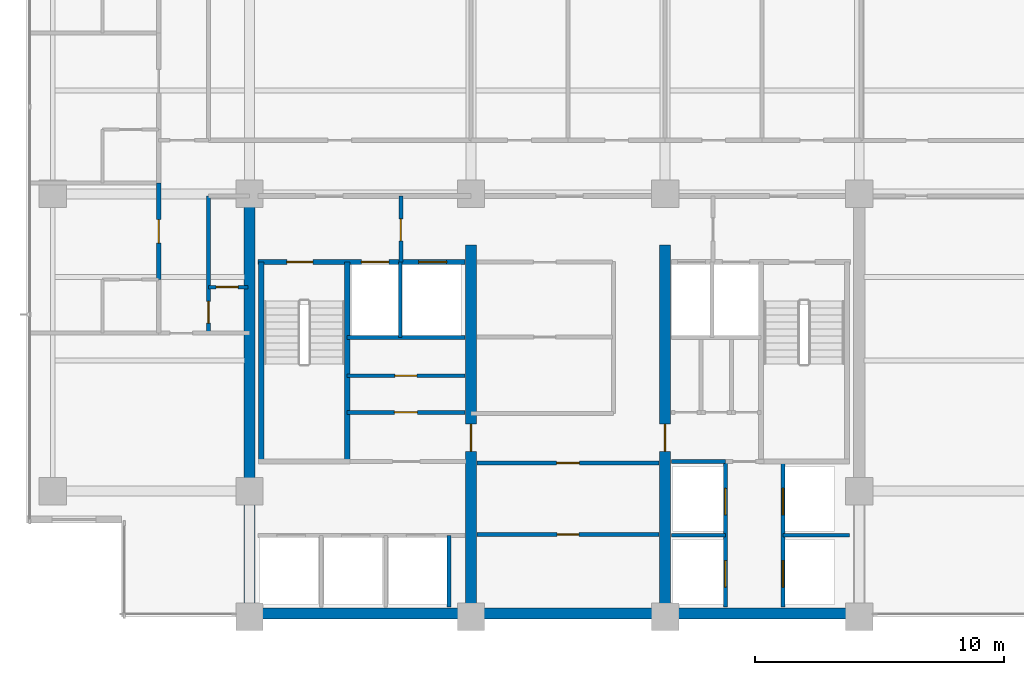
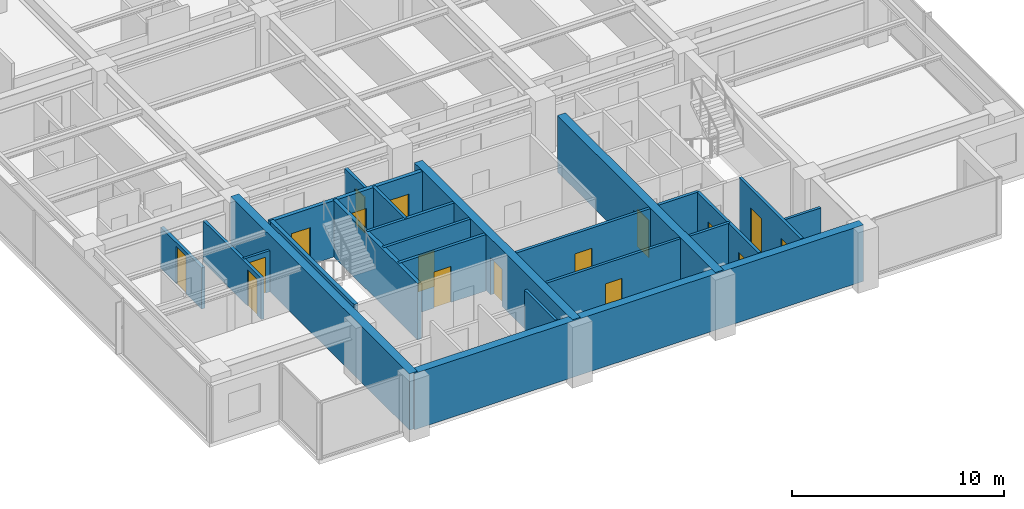
# One storey, part 7 of 14: 23 walls, 17 doors, 17 openings.
"""IFC4 building model written with IfcOpenShell, lengths in metres."""

from ifc_helpers import new_model, si_unit, direction, frame, frame_2d, origin, place, context, subcontext, project, spatial, rectangle, extrude, material, layer, layer_set, type_object, element, fill, save


model = new_model("IFC4")

# Units and contexts
model_context = context("Model", 3, precision=1e-05, world=origin(), true_north=direction((0.0, 1.0)))
body_context = subcontext(model_context, "Body", "Model", "MODEL_VIEW")
ifc_project = project(units=[si_unit("LENGTHUNIT", "METRE"), si_unit("AREAUNIT", "SQUARE_METRE"), si_unit("VOLUMEUNIT", "CUBIC_METRE"), si_unit("PLANEANGLEUNIT", "RADIAN"), si_unit("MASSUNIT", "GRAM", prefix="KILO")], contexts=[model_context])

# Site, building, storey
site_placement = place(None, origin())
site = spatial("IfcSite", under=ifc_project, at=site_placement, CompositionType="ELEMENT")
building_placement = place(site_placement, origin())
building = spatial("IfcBuilding", under=site, at=building_placement, Name="Qalmaran Belvedere Hotel", CompositionType="ELEMENT")
storey_placement = place(building_placement, frame((0.0, 0.0, 156.10009765625)))
storey = spatial("IfcBuildingStorey", under=building, at=storey_placement, Name="L39", CompositionType="ELEMENT", Elevation=156.10009765625)

# Wall
ifc_material_1 = material(Name="Concrete C50/60", Category="concrete")
ifc_layer_1 = layer(ifc_material_1, 0.449951171875, Name="Concrete C50/60")
ifc_layer_set_1 = layer_set([ifc_layer_1], Name="Concrete C50/60")
wall_type_1 = type_object("IfcWallType", Name="WL-CORE-450-C50", PredefinedType="SHEAR", material=ifc_layer_set_1)
wall_1_placement = place(storey_placement, frame((20.300048828125, 3.5, 0.0), z_axis=(0.0, 0.0, 1.0), x_axis=(0.0, 1.0, 0.0)))
element("IfcWall", 1, at=wall_1_placement, inside=storey, type_object=wall_type_1, Name="L39 West Core Shear Wall", PredefinedType="SHEAR", context=body_context, shape_type="SweptSolid", body=[
    extrude(rectangle(XDim=16.89990234375, YDim=0.449951171875, at=frame_2d((8.449951171875, 0.0))), origin(), (0.0, 0.0, 1.0), 3.25),
])

# Wall, opening, door
wall_2_placement = place(storey_placement, frame((29.199951171875, 3.5, 0.0), z_axis=(0.0, 0.0, 1.0), x_axis=(0.0, 1.0, 0.0)))
wall_2 = element("IfcWall", 2, at=wall_2_placement, inside=storey, type_object=wall_type_1, Name="L39 Core West Spine Shear Wall", PredefinedType="SHEAR", context=body_context, shape_type="SweptSolid", body=[
    extrude(rectangle(XDim=14.949951171875, YDim=0.449951171875, at=frame_2d((7.47509765625, 0.0))), origin(), (0.0, 0.0, 1.0), 3.25),
])
opening_1_placement = place(wall_2_placement, frame((7.75, 0.0, 0.0), z_axis=(0.0, 0.0, 1.0), x_axis=(-1.0, 0.0, 0.0)))
opening_1 = element("IfcOpeningElement", 3, at=opening_1_placement, cuts=wall_2, Name="Opening FD90", PredefinedType="OPENING", context=body_context, shape_type="SweptSolid", body=[
    extrude(rectangle(XDim=1.10009765625, YDim=2.14990234375, at=frame_2d((0.550048828125, 1.074951171875))), frame((0.0, 0.23486328125, 0.0), z_axis=(0.0, -1.0, 0.0), x_axis=(1.0, 0.0, 0.0)), (0.0, 0.0, 1.0), 0.469970703125),
])
ifc_material_2 = material(Name="Steel S355JR", Category="steel")
door_type_1 = type_object("IfcDoorType", Name="DR-FD90-1100X2150", OperationType="NOTDEFINED", PredefinedType="DOOR", material=ifc_material_2)
door_1_placement = place(opening_1_placement, origin())
door_1 = element("IfcDoor", 4, at=door_1_placement, inside=storey, type_object=door_type_1, Name="L39 Core West Cross-Lobby Door", OperationType="SINGLE_SWING_LEFT", OverallHeight=2.14990234375, OverallWidth=1.10009765625, PredefinedType="DOOR", context=body_context, shape_type="SweptSolid", body=[
    extrude(rectangle(XDim=1.10009765625, YDim=2.14990234375, at=frame_2d((0.550048828125, 1.074951171875))), frame((0.0, 0.02490234375, 0.0), z_axis=(0.0, -1.0, 0.0), x_axis=(1.0, 0.0, 0.0)), (0.0, 0.0, 1.0), 0.050048828125),
])
fill(opening_1, door_1)

wall_3_placement = place(storey_placement, frame((37.0, 3.5, 0.0), z_axis=(0.0, 0.0, 1.0), x_axis=(0.0, 1.0, 0.0)))
wall_3 = element("IfcWall", 5, at=wall_3_placement, inside=storey, type_object=wall_type_1, Name="L39 Core East Spine Shear Wall", PredefinedType="SHEAR", context=body_context, shape_type="SweptSolid", body=[
    extrude(rectangle(XDim=14.949951171875, YDim=0.449951171875, at=frame_2d((7.47509765625, 0.0))), origin(), (0.0, 0.0, 1.0), 3.25),
])
opening_2_placement = place(wall_3_placement, frame((6.64990234375, 0.0, 0.0)))
opening_2 = element("IfcOpeningElement", 6, at=opening_2_placement, cuts=wall_3, Name="Opening FD90", PredefinedType="OPENING", context=body_context, shape_type="SweptSolid", body=[
    extrude(rectangle(XDim=1.10009765625, YDim=2.14990234375, at=frame_2d((0.550048828125, 1.074951171875))), frame((0.0, 0.23486328125, 0.0), z_axis=(0.0, -1.0, 0.0), x_axis=(1.0, 0.0, 0.0)), (0.0, 0.0, 1.0), 0.469970703125),
])
door_2_placement = place(opening_2_placement, origin())
door_2 = element("IfcDoor", 7, at=door_2_placement, inside=storey, type_object=door_type_1, Name="L39 Core East Cross-Lobby Door", OperationType="SINGLE_SWING_RIGHT", OverallHeight=2.14990234375, OverallWidth=1.10009765625, PredefinedType="DOOR", context=body_context, shape_type="SweptSolid", body=[
    extrude(rectangle(XDim=1.10009765625, YDim=2.14990234375, at=frame_2d((0.550048828125, 1.074951171875))), frame((0.0, 0.02490234375, 0.0), z_axis=(0.0, -1.0, 0.0), x_axis=(1.0, 0.0, 0.0)), (0.0, 0.0, 1.0), 0.050048828125),
])
fill(opening_2, door_2)

# Wall
ifc_layer_2 = layer(ifc_material_1, 0.43994140625, Name="Concrete C50/60")
ifc_layer_set_2 = layer_set([ifc_layer_2], Name="Concrete C50/60")
wall_type_2 = type_object("IfcWallType", Name="WL-CORES-440-EXT", PredefinedType="SHEAR", material=ifc_layer_set_2)
wall_4_placement = place(storey_placement, frame((20.300048828125, 3.6298828125, 0.0), z_axis=(0.0, 0.0, 1.0), x_axis=(1.0, 0.0, 0.0)))
element("IfcWall", 8, at=wall_4_placement, inside=storey, type_object=wall_type_2, Name="L39 South Core Shear Wall", PredefinedType="SHEAR", context=body_context, shape_type="SweptSolid", body=[
    extrude(rectangle(XDim=24.5, YDim=0.43994140625, at=frame_2d((12.25, 0.0))), origin(), (0.0, 0.0, 1.0), 3.25),
])

# Wall, opening, door
ifc_material_3 = material(Name="Gypsum Stud Partition")
ifc_layer_3 = layer(ifc_material_3, 0.139892578125, Name="Gypsum Stud Partition")
ifc_layer_set_3 = layer_set([ifc_layer_3], Name="Gypsum Stud Partition")
wall_type_3 = type_object("IfcWallType", Name="WL-INT-140-NR", PredefinedType="PARTITIONING", material=ifc_layer_set_3)
wall_5_placement = place(storey_placement, frame((18.64990234375, 16.75, 0.0), z_axis=(0.0, 0.0, 1.0), x_axis=(1.0, 0.0, 0.0)))
wall_5 = element("IfcWall", 9, at=wall_5_placement, inside=storey, type_object=wall_type_3, Name="L39 Partition WL-L39-WCLSUB", PredefinedType="PARTITIONING", context=body_context, shape_type="SweptSolid", body=[
    extrude(rectangle(XDim=1.60009765625, YDim=0.139892578125, at=frame_2d((0.800048828125, 0.0))), origin(), (0.0, 0.0, 1.0), 2.3798828125),
])
opening_3_placement = place(wall_5_placement, frame((1.193115234375, 0.0, 0.0), z_axis=(0.0, 0.0, 1.0), x_axis=(-1.0, 0.0, 0.0)))
opening_3 = element("IfcOpeningElement", 10, at=opening_3_placement, cuts=wall_5, Name="Opening D-BATH", PredefinedType="OPENING", context=body_context, shape_type="SweptSolid", body=[
    extrude(rectangle(XDim=0.8798828125, YDim=2.080078125, at=frame_2d((0.43994140625, 1.0400390625))), frame((0.0, 0.080078125, 0.0), z_axis=(0.0, -1.0, 0.0), x_axis=(1.0, 0.0, 0.0)), (0.0, 0.0, 1.0), 0.159912109375),
])
ifc_material_4 = material(Name="Engineered Oak Veneer")
door_type_2 = type_object("IfcDoorType", Name="DR-INT-BATH-880X2080", OperationType="NOTDEFINED", PredefinedType="DOOR", material=ifc_material_4)
door_3_placement = place(opening_3_placement, origin())
door_3 = element("IfcDoor", 11, at=door_3_placement, inside=storey, type_object=door_type_2, Name="L39 Closet Alcove Door", OperationType="SINGLE_SWING_LEFT", OverallHeight=2.080078125, OverallWidth=0.8798828125, PredefinedType="DOOR", context=body_context, shape_type="SweptSolid", body=[
    extrude(rectangle(XDim=0.8798828125, YDim=2.080078125, at=frame_2d((0.43994140625, 1.0400390625))), frame((0.0, 0.02490234375, 0.0), z_axis=(0.0, -1.0, 0.0), x_axis=(1.0, 0.0, 0.0)), (0.0, 0.0, 1.0), 0.050048828125),
])
fill(opening_3, door_3)

# Walls
ifc_layer_4 = layer(ifc_material_3, 0.14990234375, Name="Gypsum Stud Partition")
ifc_layer_set_4 = layer_set([ifc_layer_4], Name="Gypsum Stud Partition")
wall_type_4 = type_object("IfcWallType", Name="WL-INT-150-EI120", PredefinedType="PARTITIONING", material=ifc_layer_set_4)
wall_6_placement = place(storey_placement, frame((26.360107421875, 14.719970703125, 0.0), z_axis=(0.0, 0.0, 1.0), x_axis=(0.0, 1.0, 0.0)))
element("IfcWall", 12, at=wall_6_placement, inside=storey, type_object=wall_type_4, Name="L39 Partition WL-FF1M-L39", PredefinedType="PARTITIONING", context=body_context, shape_type="SweptSolid", body=[
    extrude(rectangle(XDim=3.0400390625, YDim=0.14990234375, at=frame_2d((1.52001953125, 0.0))), origin(), (0.0, 0.0, 1.0), 3.25),
])
wall_7_placement = place(storey_placement, frame((28.320068359375, 3.89990234375, 0.0), z_axis=(0.0, 0.0, 1.0), x_axis=(0.0, 1.0, 0.0)))
element("IfcWall", 13, at=wall_7_placement, inside=storey, type_object=wall_type_4, Name="L39 Partition WL-POM3-L39", PredefinedType="PARTITIONING", context=body_context, shape_type="SweptSolid", body=[
    extrude(rectangle(XDim=2.880126953125, YDim=0.14990234375, at=frame_2d((1.43994140625, 0.0))), origin(), (0.0, 0.0, 1.0), 3.25),
])
wall_8_placement = place(storey_placement, frame((37.25, 6.780029296875, 0.0), z_axis=(0.0, 0.0, 1.0), x_axis=(1.0, 0.0, 0.0)))
element("IfcWall", 14, at=wall_8_placement, inside=storey, type_object=wall_type_4, Name="L39 Partition WL-PHMW-L39", PredefinedType="PARTITIONING", context=body_context, shape_type="SweptSolid", body=[
    extrude(rectangle(XDim=2.169921875, YDim=0.14990234375, at=frame_2d((1.0849609375, 0.0))), origin(), (0.0, 0.0, 1.0), 3.25),
])
wall_9_placement = place(storey_placement, frame((41.739990234375, 6.780029296875, 0.0), z_axis=(0.0, 0.0, 1.0), x_axis=(1.0, 0.0, 0.0)))
element("IfcWall", 15, at=wall_9_placement, inside=storey, type_object=wall_type_4, Name="L39 Partition WL-PHME-L39", PredefinedType="PARTITIONING", context=body_context, shape_type="SweptSolid", body=[
    extrude(rectangle(XDim=2.659912109375, YDim=0.14990234375, at=frame_2d((1.330078125, 0.0))), origin(), (0.0, 0.0, 1.0), 2.3798828125),
])

# Wall, opening, door
ifc_layer_5 = layer(ifc_material_3, 0.14990234375, Name="Gypsum Stud Partition")
ifc_layer_set_5 = layer_set([ifc_layer_5], Name="Gypsum Stud Partition")
wall_type_5 = type_object("IfcWallType", Name="WL-INT-150-EI60", PredefinedType="PARTITIONING", material=ifc_layer_set_5)
wall_10_placement = place(storey_placement, frame((24.219970703125, 13.18505859375, 0.0), z_axis=(0.0, 0.0, 1.0), x_axis=(1.0, 0.0, 0.0)))
wall_10 = element("IfcWall", 16, at=wall_10_placement, inside=storey, type_object=wall_type_5, Name="L39 Partition WL-L39-KWHM", PredefinedType="PARTITIONING", context=body_context, shape_type="SweptSolid", body=[
    extrude(rectangle(XDim=4.72998046875, YDim=0.14990234375, at=frame_2d((2.364990234375, 0.0))), origin(), (0.0, 0.0, 1.0), 3.25),
])
opening_4_placement = place(wall_10_placement, frame((1.925048828125, 0.0, 0.0)))
opening_4 = element("IfcOpeningElement", 17, at=opening_4_placement, cuts=wall_10, Name="Opening FD60B", PredefinedType="OPENING", context=body_context, shape_type="SweptSolid", body=[
    extrude(rectangle(XDim=0.8798828125, YDim=2.080078125, at=frame_2d((0.43994140625, 1.0400390625))), frame((0.0, 0.0849609375, 0.0), z_axis=(0.0, -1.0, 0.0), x_axis=(1.0, 0.0, 0.0)), (0.0, 0.0, 1.0), 0.169921875),
])
door_type_3 = type_object("IfcDoorType", Name="DR-FD60B-880X2080", OperationType="NOTDEFINED", PredefinedType="DOOR", material=ifc_material_2)
door_4_placement = place(opening_4_placement, origin())
door_4 = element("IfcDoor", 18, at=door_4_placement, inside=storey, type_object=door_type_3, Name="L39 Staff Core WC Door", OperationType="SINGLE_SWING_LEFT", OverallHeight=2.080078125, OverallWidth=0.8798828125, PredefinedType="DOOR", context=body_context, shape_type="SweptSolid", body=[
    extrude(rectangle(XDim=0.8798828125, YDim=2.080078125, at=frame_2d((0.43994140625, 1.0400390625))), frame((0.0, 0.02490234375, 0.0), z_axis=(0.0, -1.0, 0.0), x_axis=(1.0, 0.0, 0.0)), (0.0, 0.0, 1.0), 0.050048828125),
])
fill(opening_4, door_4)

wall_11_placement = place(storey_placement, frame((29.449951171875, 6.81494140625, 0.0), z_axis=(0.0, 0.0, 1.0), x_axis=(1.0, 0.0, 0.0)))
wall_11 = element("IfcWall", 19, at=wall_11_placement, inside=storey, type_object=wall_type_5, Name="L39 Partition WL-L39-KPLHM", PredefinedType="PARTITIONING", context=body_context, shape_type="SweptSolid", body=[
    extrude(rectangle(XDim=7.300048828125, YDim=0.14990234375, at=frame_2d((3.64990234375, 0.0))), origin(), (0.0, 0.0, 1.0), 3.25),
])
opening_5_placement = place(wall_11_placement, frame((4.08984375, 0.0, 0.0), z_axis=(0.0, 0.0, 1.0), x_axis=(-1.0, 0.0, 0.0)))
opening_5 = element("IfcOpeningElement", 20, at=opening_5_placement, cuts=wall_11, Name="Opening FD60B", PredefinedType="OPENING", context=body_context, shape_type="SweptSolid", body=[
    extrude(rectangle(XDim=0.8798828125, YDim=2.080078125, at=frame_2d((0.43994140625, 1.0400390625))), frame((0.0, 0.0849609375, 0.0), z_axis=(0.0, -1.0, 0.0), x_axis=(1.0, 0.0, 0.0)), (0.0, 0.0, 1.0), 0.169921875),
])
door_5_placement = place(opening_5_placement, origin())
door_5 = element("IfcDoor", 21, at=door_5_placement, inside=storey, type_object=door_type_3, Name="L39 Housekeeping and Linen Room Door", OperationType="SINGLE_SWING_RIGHT", OverallHeight=2.080078125, OverallWidth=0.8798828125, PredefinedType="DOOR", context=body_context, shape_type="SweptSolid", body=[
    extrude(rectangle(XDim=0.8798828125, YDim=2.080078125, at=frame_2d((0.43994140625, 1.0400390625))), frame((0.0, 0.02490234375, 0.0), z_axis=(0.0, -1.0, 0.0), x_axis=(1.0, 0.0, 0.0)), (0.0, 0.0, 1.0), 0.050048828125),
])
fill(opening_5, door_5)

ifc_layer_6 = layer(ifc_material_3, 0.159912109375, Name="Gypsum Stud Partition")
ifc_layer_set_6 = layer_set([ifc_layer_6], Name="Gypsum Stud Partition")
wall_type_6 = type_object("IfcWallType", Name="WL-INT-160-EI120", PredefinedType="PARTITIONING", material=ifc_layer_set_6)
wall_12_placement = place(storey_placement, frame((26.3798828125, 17.760009765625, 0.0), z_axis=(0.0, 0.0, 1.0), x_axis=(0.0, 1.0, 0.0)))
wall_12 = element("IfcWall", 22, at=wall_12_placement, inside=storey, type_object=wall_type_6, Name="L39 Partition WL-FFSV1-L39", PredefinedType="PARTITIONING", context=body_context, shape_type="SweptSolid", body=[
    extrude(rectangle(XDim=2.659912109375, YDim=0.159912109375, at=frame_2d((1.330078125, 0.0))), origin(), (0.0, 0.0, 1.0), 2.69189453125),
])
opening_6_placement = place(wall_12_placement, frame((0.85009765625, 0.0, 0.0)))
opening_6 = element("IfcOpeningElement", 23, at=opening_6_placement, cuts=wall_12, Name="Opening FD60B", PredefinedType="OPENING", context=body_context, shape_type="SweptSolid", body=[
    extrude(rectangle(XDim=0.8798828125, YDim=2.080078125, at=frame_2d((0.43994140625, 1.0400390625))), frame((0.0, 0.08984375, 0.0), z_axis=(0.0, -1.0, 0.0), x_axis=(1.0, 0.0, 0.0)), (0.0, 0.0, 1.0), 0.179931640625),
])
door_6_placement = place(opening_6_placement, origin())
door_6 = element("IfcDoor", 24, at=door_6_placement, inside=storey, type_object=door_type_3, Name="L39 Service Lobby West Door", OperationType="SINGLE_SWING_LEFT", OverallHeight=2.080078125, OverallWidth=0.8798828125, PredefinedType="DOOR", context=body_context, shape_type="SweptSolid", body=[
    extrude(rectangle(XDim=0.8798828125, YDim=2.080078125, at=frame_2d((0.43994140625, 1.0400390625))), frame((0.0, 0.02490234375, 0.0), z_axis=(0.0, -1.0, 0.0), x_axis=(1.0, 0.0, 0.0)), (0.0, 0.0, 1.0), 0.050048828125),
])
fill(opening_6, door_6)

# Wall
wall_13_placement = place(storey_placement, frame((24.219970703125, 14.719970703125, 0.0), z_axis=(0.0, 0.0, 1.0), x_axis=(1.0, 0.0, 0.0)))
element("IfcWall", 25, at=wall_13_placement, inside=storey, type_object=wall_type_6, Name="L39 Partition WL-FF1S-L39", PredefinedType="PARTITIONING", context=body_context, shape_type="SweptSolid", body=[
    extrude(rectangle(XDim=4.72998046875, YDim=0.159912109375, at=frame_2d((2.364990234375, 0.0))), origin(), (0.0, 0.0, 1.0), 3.25),
])

# Wall, openings, doors
wall_14_placement = place(storey_placement, frame((39.419921875, 3.89990234375, 0.0), z_axis=(0.0, 0.0, 1.0), x_axis=(0.0, 1.0, 0.0)))
wall_14 = element("IfcWall", 26, at=wall_14_placement, inside=storey, type_object=wall_type_6, Name="L39 Partition WL-PHW-L39", PredefinedType="PARTITIONING", context=body_context, shape_type="SweptSolid", body=[
    extrude(rectangle(XDim=5.840087890625, YDim=0.159912109375, at=frame_2d((2.919921875, 0.0))), origin(), (0.0, 0.0, 1.0), 3.25),
])
opening_7_placement = place(wall_14_placement, frame((1.860107421875, 0.0, 0.0), z_axis=(0.0, 0.0, 1.0), x_axis=(-1.0, 0.0, 0.0)))
opening_7 = element("IfcOpeningElement", 27, at=opening_7_placement, cuts=wall_14, Name="Opening LD-P2", PredefinedType="OPENING", context=body_context, shape_type="SweptSolid", body=[
    extrude(rectangle(XDim=1.06005859375, YDim=2.159912109375, at=frame_2d((0.530029296875, 1.080078125))), frame((0.0, 0.08984375, 0.0), z_axis=(0.0, -1.0, 0.0), x_axis=(1.0, 0.0, 0.0)), (0.0, 0.0, 1.0), 0.179931640625),
])
opening_8_placement = place(wall_14_placement, frame((4.760009765625, 0.0, 0.0), z_axis=(0.0, 0.0, 1.0), x_axis=(-1.0, 0.0, 0.0)))
opening_8 = element("IfcOpeningElement", 28, at=opening_8_placement, cuts=wall_14, Name="Opening LD-P2", PredefinedType="OPENING", context=body_context, shape_type="SweptSolid", body=[
    extrude(rectangle(XDim=1.06005859375, YDim=2.159912109375, at=frame_2d((0.530029296875, 1.080078125))), frame((0.0, 0.08984375, 0.0), z_axis=(0.0, -1.0, 0.0), x_axis=(1.0, 0.0, 0.0)), (0.0, 0.0, 1.0), 0.179931640625),
])
ifc_material_5 = material(Name="Stainless Steel 1.4401", Category="steel")
door_type_4 = type_object("IfcDoorType", Name="DR-LIFT-P2-1060X2160", OperationType="DOUBLE_DOOR_SLIDING", PredefinedType="DOOR", material=ifc_material_5)
door_7_placement = place(opening_7_placement, origin())
door_7 = element("IfcDoor", 29, at=door_7_placement, inside=storey, type_object=door_type_4, Name="L39 PH1 Lift Landing Door", OperationType="DOUBLE_DOOR_SLIDING", OverallHeight=2.159912109375, OverallWidth=1.06005859375, PredefinedType="DOOR", context=body_context, shape_type="SweptSolid", body=[
    extrude(rectangle(XDim=1.06005859375, YDim=2.159912109375, at=frame_2d((0.530029296875, 1.080078125))), frame((0.0, 0.02490234375, 0.0), z_axis=(0.0, -1.0, 0.0), x_axis=(1.0, 0.0, 0.0)), (0.0, 0.0, 1.0), 0.050048828125),
])
fill(opening_7, door_7)
door_8_placement = place(opening_8_placement, origin())
door_8 = element("IfcDoor", 30, at=door_8_placement, inside=storey, type_object=door_type_4, Name="L39 PH2 Lift Landing Door", OperationType="DOUBLE_DOOR_SLIDING", OverallHeight=2.159912109375, OverallWidth=1.06005859375, PredefinedType="DOOR", context=body_context, shape_type="SweptSolid", body=[
    extrude(rectangle(XDim=1.06005859375, YDim=2.159912109375, at=frame_2d((0.530029296875, 1.080078125))), frame((0.0, 0.02490234375, 0.0), z_axis=(0.0, -1.0, 0.0), x_axis=(1.0, 0.0, 0.0)), (0.0, 0.0, 1.0), 0.050048828125),
])
fill(opening_8, door_8)

wall_15_placement = place(storey_placement, frame((41.739990234375, 3.89990234375, 0.0), z_axis=(0.0, 0.0, 1.0), x_axis=(0.0, 1.0, 0.0)))
wall_15 = element("IfcWall", 31, at=wall_15_placement, inside=storey, type_object=wall_type_6, Name="L39 Partition WL-PHE-L39", PredefinedType="PARTITIONING", context=body_context, shape_type="SweptSolid", body=[
    extrude(rectangle(XDim=5.840087890625, YDim=0.159912109375, at=frame_2d((2.919921875, 0.0))), origin(), (0.0, 0.0, 1.0), 3.25),
])
opening_9_placement = place(wall_15_placement, frame((0.800048828125, 0.0, 0.0)))
opening_9 = element("IfcOpeningElement", 32, at=opening_9_placement, cuts=wall_15, Name="Opening LD-P2", PredefinedType="OPENING", context=body_context, shape_type="SweptSolid", body=[
    extrude(rectangle(XDim=1.06005859375, YDim=2.159912109375, at=frame_2d((0.530029296875, 1.080078125))), frame((0.0, 0.08984375, 0.0), z_axis=(0.0, -1.0, 0.0), x_axis=(1.0, 0.0, 0.0)), (0.0, 0.0, 1.0), 0.179931640625),
])
opening_10_placement = place(wall_15_placement, frame((3.699951171875, 0.0, 0.0)))
opening_10 = element("IfcOpeningElement", 33, at=opening_10_placement, cuts=wall_15, Name="Opening LD-P2", PredefinedType="OPENING", context=body_context, shape_type="SweptSolid", body=[
    extrude(rectangle(XDim=1.06005859375, YDim=2.159912109375, at=frame_2d((0.530029296875, 1.080078125))), frame((0.0, 0.08984375, 0.0), z_axis=(0.0, -1.0, 0.0), x_axis=(1.0, 0.0, 0.0)), (0.0, 0.0, 1.0), 0.179931640625),
])
door_9_placement = place(opening_9_placement, origin())
door_9 = element("IfcDoor", 34, at=door_9_placement, inside=storey, type_object=door_type_4, Name="L39 PH3 Lift Landing Door", OperationType="DOUBLE_DOOR_SLIDING", OverallHeight=2.159912109375, OverallWidth=1.06005859375, PredefinedType="DOOR", context=body_context, shape_type="SweptSolid", body=[
    extrude(rectangle(XDim=1.06005859375, YDim=2.159912109375, at=frame_2d((0.530029296875, 1.080078125))), frame((0.0, 0.02490234375, 0.0), z_axis=(0.0, -1.0, 0.0), x_axis=(1.0, 0.0, 0.0)), (0.0, 0.0, 1.0), 0.050048828125),
])
fill(opening_9, door_9)
door_10_placement = place(opening_10_placement, origin())
door_10 = element("IfcDoor", 35, at=door_10_placement, inside=storey, type_object=door_type_4, Name="L39 PH4 Lift Landing Door", OperationType="DOUBLE_DOOR_SLIDING", OverallHeight=2.159912109375, OverallWidth=1.06005859375, PredefinedType="DOOR", context=body_context, shape_type="SweptSolid", body=[
    extrude(rectangle(XDim=1.06005859375, YDim=2.159912109375, at=frame_2d((0.530029296875, 1.080078125))), frame((0.0, 0.02490234375, 0.0), z_axis=(0.0, -1.0, 0.0), x_axis=(1.0, 0.0, 0.0)), (0.0, 0.0, 1.0), 0.050048828125),
])
fill(opening_10, door_10)

# Wall
wall_16_placement = place(storey_placement, frame((37.25, 9.739990234375, 0.0), z_axis=(0.0, 0.0, 1.0), x_axis=(1.0, 0.0, 0.0)))
element("IfcWall", 36, at=wall_16_placement, inside=storey, type_object=wall_type_6, Name="L39 Partition WL-PHNW-L39", PredefinedType="PARTITIONING", context=body_context, shape_type="SweptSolid", body=[
    extrude(rectangle(XDim=2.169921875, YDim=0.159912109375, at=frame_2d((1.0849609375, 0.0))), origin(), (0.0, 0.0, 1.0), 3.25),
])

# Wall, opening, door
ifc_layer_7 = layer(ifc_material_3, 0.159912109375, Name="Gypsum Stud Partition")
ifc_layer_set_7 = layer_set([ifc_layer_7], Name="Gypsum Stud Partition")
wall_type_7 = type_object("IfcWallType", Name="WL-INT-160-EI60", PredefinedType="PARTITIONING", material=ifc_layer_set_7)
wall_17_placement = place(storey_placement, frame((24.219970703125, 11.719970703125, 0.0), z_axis=(0.0, 0.0, 1.0), x_axis=(1.0, 0.0, 0.0)))
wall_17 = element("IfcWall", 37, at=wall_17_placement, inside=storey, type_object=wall_type_7, Name="L39 Partition WL-L39-KWE1", PredefinedType="PARTITIONING", context=body_context, shape_type="SweptSolid", body=[
    extrude(rectangle(XDim=4.72998046875, YDim=0.159912109375, at=frame_2d((2.364990234375, 0.0))), origin(), (0.0, 0.0, 1.0), 3.25),
])
opening_11_placement = place(wall_17_placement, frame((1.905029296875, 0.0, 0.0)))
opening_11 = element("IfcOpeningElement", 38, at=opening_11_placement, cuts=wall_17, Name="Opening FD60S1", PredefinedType="OPENING", context=body_context, shape_type="SweptSolid", body=[
    extrude(rectangle(XDim=0.919921875, YDim=2.080078125, at=frame_2d((0.4599609375, 1.0400390625))), frame((0.0, 0.08984375, 0.0), z_axis=(0.0, -1.0, 0.0), x_axis=(1.0, 0.0, 0.0)), (0.0, 0.0, 1.0), 0.179931640625),
])
door_type_5 = type_object("IfcDoorType", Name="DR-FD60S-920X2080", OperationType="NOTDEFINED", PredefinedType="DOOR", material=ifc_material_4)
door_11_placement = place(opening_11_placement, origin())
door_11 = element("IfcDoor", 39, at=door_11_placement, inside=storey, type_object=door_type_5, Name="L39 Cleaner Supply Store Door", OperationType="SINGLE_SWING_RIGHT", OverallHeight=2.080078125, OverallWidth=0.919921875, PredefinedType="DOOR", context=body_context, shape_type="SweptSolid", body=[
    extrude(rectangle(XDim=0.919921875, YDim=2.080078125, at=frame_2d((0.4599609375, 1.0400390625))), frame((0.0, 0.02490234375, 0.0), z_axis=(0.0, -1.0, 0.0), x_axis=(1.0, 0.0, 0.0)), (0.0, 0.0, 1.0), 0.050048828125),
])
fill(opening_11, door_11)

wall_18_placement = place(storey_placement, frame((29.449951171875, 9.679931640625, 0.0), z_axis=(0.0, 0.0, 1.0), x_axis=(1.0, 0.0, 0.0)))
wall_18 = element("IfcWall", 40, at=wall_18_placement, inside=storey, type_object=wall_type_7, Name="L39 Partition WL-L39-KPLE1", PredefinedType="PARTITIONING", context=body_context, shape_type="SweptSolid", body=[
    extrude(rectangle(XDim=7.300048828125, YDim=0.159912109375, at=frame_2d((3.64990234375, 0.0))), origin(), (0.0, 0.0, 1.0), 3.25),
])
opening_12_placement = place(wall_18_placement, frame((4.10986328125, 0.0, 0.0), z_axis=(0.0, 0.0, 1.0), x_axis=(-1.0, 0.0, 0.0)))
opening_12 = element("IfcOpeningElement", 41, at=opening_12_placement, cuts=wall_18, Name="Opening FD60S1", PredefinedType="OPENING", context=body_context, shape_type="SweptSolid", body=[
    extrude(rectangle(XDim=0.919921875, YDim=2.080078125, at=frame_2d((0.4599609375, 1.0400390625))), frame((0.0, 0.08984375, 0.0), z_axis=(0.0, -1.0, 0.0), x_axis=(1.0, 0.0, 0.0)), (0.0, 0.0, 1.0), 0.179931640625),
])
door_12_placement = place(opening_12_placement, origin())
door_12 = element("IfcDoor", 42, at=door_12_placement, inside=storey, type_object=door_type_5, Name="L39 Guest Valet Supply Store Door", OperationType="SINGLE_SWING_LEFT", OverallHeight=2.080078125, OverallWidth=0.919921875, PredefinedType="DOOR", context=body_context, shape_type="SweptSolid", body=[
    extrude(rectangle(XDim=0.919921875, YDim=2.080078125, at=frame_2d((0.4599609375, 1.0400390625))), frame((0.0, 0.02490234375, 0.0), z_axis=(0.0, -1.0, 0.0), x_axis=(1.0, 0.0, 0.0)), (0.0, 0.0, 1.0), 0.050048828125),
])
fill(opening_12, door_12)

wall_19_placement = place(storey_placement, frame((18.64990234375, 14.89990234375, 0.0), z_axis=(0.0, 0.0, 1.0), x_axis=(0.0, 1.0, 0.0)))
wall_19 = element("IfcWall", 43, at=wall_19_placement, inside=storey, type_object=wall_type_7, Name="L39 Partition WL-L39-WCL", PredefinedType="PARTITIONING", context=body_context, shape_type="SweptSolid", body=[
    extrude(rectangle(XDim=5.52001953125, YDim=0.159912109375, at=frame_2d((2.760009765625, 0.0))), origin(), (0.0, 0.0, 1.0), 2.3798828125),
])
opening_13_placement = place(wall_19_placement, frame((1.27978515625, 0.0, 0.0), z_axis=(0.0, 0.0, 1.0), x_axis=(-1.0, 0.0, 0.0)))
opening_13 = element("IfcOpeningElement", 44, at=opening_13_placement, cuts=wall_19, Name="Opening FD60B", PredefinedType="OPENING", context=body_context, shape_type="SweptSolid", body=[
    extrude(rectangle(XDim=0.8798828125, YDim=2.080078125, at=frame_2d((0.43994140625, 1.0400390625))), frame((0.0, 0.08984375, 0.0), z_axis=(0.0, -1.0, 0.0), x_axis=(1.0, 0.0, 0.0)), (0.0, 0.0, 1.0), 0.179931640625),
])
door_13_placement = place(opening_13_placement, origin())
door_13 = element("IfcDoor", 45, at=door_13_placement, inside=storey, type_object=door_type_3, Name="L39 West Closet Door", OperationType="SINGLE_SWING_RIGHT", OverallHeight=2.080078125, OverallWidth=0.8798828125, PredefinedType="DOOR", context=body_context, shape_type="SweptSolid", body=[
    extrude(rectangle(XDim=0.8798828125, YDim=2.080078125, at=frame_2d((0.43994140625, 1.0400390625))), frame((0.0, 0.02490234375, 0.0), z_axis=(0.0, -1.0, 0.0), x_axis=(1.0, 0.0, 0.0)), (0.0, 0.0, 1.0), 0.050048828125),
])
fill(opening_13, door_13)

ifc_layer_8 = layer(ifc_material_3, 0.179931640625, Name="Gypsum Stud Partition")
ifc_layer_set_8 = layer_set([ifc_layer_8], Name="Gypsum Stud Partition")
wall_type_8 = type_object("IfcWallType", Name="WL-INT-180-EI60", PredefinedType="PARTITIONING", material=ifc_layer_set_8)
wall_20_placement = place(storey_placement, frame((16.64990234375, 17.050048828125, 0.0), z_axis=(0.0, 0.0, 1.0), x_axis=(0.0, 1.0, 0.0)))
wall_20 = element("IfcWall", 46, at=wall_20_placement, inside=storey, type_object=wall_type_8, Name="L39 Partition WL-L39-WEC00", PredefinedType="PARTITIONING", context=body_context, shape_type="SweptSolid", body=[
    extrude(rectangle(XDim=3.88330078125, YDim=0.179931640625, at=frame_2d((1.941650390625, 0.0))), origin(), (0.0, 0.0, 1.0), 2.3798828125),
])
opening_14_placement = place(wall_20_placement, frame((1.466552734375, 0.0, 0.0)))
opening_14 = element("IfcOpeningElement", 47, at=opening_14_placement, cuts=wall_20, Name="Opening FD60", PredefinedType="OPENING", context=body_context, shape_type="SweptSolid", body=[
    extrude(rectangle(XDim=0.949951171875, YDim=2.14990234375, at=frame_2d((0.47509765625, 1.074951171875))), frame((0.0, 0.10009765625, 0.0), z_axis=(0.0, -1.0, 0.0), x_axis=(1.0, 0.0, 0.0)), (0.0, 0.0, 1.0), 0.199951171875),
])
door_type_6 = type_object("IfcDoorType", Name="DR-FD60-950X2150", OperationType="NOTDEFINED", PredefinedType="DOOR", material=ifc_material_4)
door_14_placement = place(opening_14_placement, origin())
door_14 = element("IfcDoor", 48, at=door_14_placement, inside=storey, type_object=door_type_6, Name="L39 W Wing Door 01", OperationType="SINGLE_SWING_LEFT", OverallHeight=2.14990234375, OverallWidth=0.949951171875, PredefinedType="DOOR", context=body_context, shape_type="SweptSolid", body=[
    extrude(rectangle(XDim=0.949951171875, YDim=2.14990234375, at=frame_2d((0.47509765625, 1.074951171875))), frame((0.0, 0.02490234375, 0.0), z_axis=(0.0, -1.0, 0.0), x_axis=(1.0, 0.0, 0.0)), (0.0, 0.0, 1.0), 0.050048828125),
])
fill(opening_14, door_14)

# Walls
ifc_layer_9 = layer(ifc_material_1, 0.2099609375, Name="Concrete C50/60")
ifc_layer_set_9 = layer_set([ifc_layer_9], Name="Concrete C50/60")
wall_type_9 = type_object("IfcWallType", Name="WL-STAIR-210-C50", PredefinedType="SHEAR", material=ifc_layer_set_9)
for number, where, z_axis, x_axis, name in (
    (49, (20.77490234375, 9.7451171875, 0.0), (0.0, 0.0, 1.0), (0.0, 1.0, 0.0), "L39 Stair ST-1 West Bearing Wall"),
    (50, (24.22509765625, 9.7451171875, 0.0), (0.0, 0.0, 1.0), (0.0, 1.0, 0.0), "L39 Stair ST-1 East Bearing Wall"),
):
    element("IfcWall", number, at=place(storey_placement, frame(where, z_axis=z_axis, x_axis=x_axis)), inside=storey, type_object=wall_type_9, Name=name, PredefinedType="SHEAR", context=body_context, shape_type="SweptSolid", body=[
        extrude(rectangle(XDim=8.009765625, YDim=0.2099609375, at=frame_2d((4.0048828125, 0.0))), origin(), (0.0, 0.0, 1.0), 3.25),
    ])

# Wall, openings, doors
wall_21_placement = place(storey_placement, frame((20.64990234375, 17.7548828125, 0.0), z_axis=(0.0, 0.0, 1.0), x_axis=(1.0, 0.0, 0.0)))
wall_21 = element("IfcWall", 51, at=wall_21_placement, inside=storey, type_object=wall_type_9, Name="L39 West Lobby and Stair ST-1 North Bearing Wall", PredefinedType="SHEAR", context=body_context, shape_type="SweptSolid", body=[
    extrude(rectangle(XDim=8.300048828125, YDim=0.2099609375, at=frame_2d((4.14990234375, 0.0))), origin(), (0.0, 0.0, 1.0), 3.25),
])
opening_15_placement = place(wall_21_placement, frame((2.199951171875, 0.0, 0.0), z_axis=(0.0, 0.0, 1.0), x_axis=(-1.0, 0.0, 0.0)))
opening_15 = element("IfcOpeningElement", 52, at=opening_15_placement, cuts=wall_21, Name="Opening FD90S2", PredefinedType="OPENING", context=body_context, shape_type="SweptSolid", body=[
    extrude(rectangle(XDim=1.050048828125, YDim=2.14990234375, at=frame_2d((0.52490234375, 1.074951171875))), frame((0.0, 0.114990234375, 0.0), z_axis=(0.0, -1.0, 0.0), x_axis=(1.0, 0.0, 0.0)), (0.0, 0.0, 1.0), 0.22998046875),
])
opening_16_placement = place(wall_21_placement, frame((4.14990234375, 0.0, 0.0)))
opening_16 = element("IfcOpeningElement", 53, at=opening_16_placement, cuts=wall_21, Name="Opening LD-FF", PredefinedType="OPENING", context=body_context, shape_type="SweptSolid", body=[
    extrude(rectangle(XDim=1.10009765625, YDim=2.179931640625, at=frame_2d((0.550048828125, 1.08984375))), frame((0.0, 0.114990234375, 0.0), z_axis=(0.0, -1.0, 0.0), x_axis=(1.0, 0.0, 0.0)), (0.0, 0.0, 1.0), 0.22998046875),
])
opening_17_placement = place(wall_21_placement, frame((6.449951171875, 0.0, 0.0)))
opening_17 = element("IfcOpeningElement", 54, at=opening_17_placement, cuts=wall_21, Name="Opening LD-SV", PredefinedType="OPENING", context=body_context, shape_type="SweptSolid", body=[
    extrude(rectangle(XDim=1.1201171875, YDim=2.199951171875, at=frame_2d((0.56005859375, 1.10009765625))), frame((0.0, 0.114990234375, 0.0), z_axis=(0.0, -1.0, 0.0), x_axis=(1.0, 0.0, 0.0)), (0.0, 0.0, 1.0), 0.22998046875),
])
door_type_7 = type_object("IfcDoorType", Name="DR-FD90S-1050X2150", OperationType="NOTDEFINED", PredefinedType="DOOR", material=ifc_material_2)
door_15_placement = place(opening_15_placement, origin())
door_15 = element("IfcDoor", 55, at=door_15_placement, inside=storey, type_object=door_type_7, Name="L39 Stair ST-1 Door", OperationType="SINGLE_SWING_LEFT", OverallHeight=2.14990234375, OverallWidth=1.050048828125, PredefinedType="DOOR", context=body_context, shape_type="SweptSolid", body=[
    extrude(rectangle(XDim=1.050048828125, YDim=2.14990234375, at=frame_2d((0.52490234375, 1.074951171875))), frame((0.0, 0.02490234375, 0.0), z_axis=(0.0, -1.0, 0.0), x_axis=(1.0, 0.0, 0.0)), (0.0, 0.0, 1.0), 0.050048828125),
])
fill(opening_15, door_15)
door_type_8 = type_object("IfcDoorType", Name="DR-LIFT-FF-1100X2180", OperationType="DOUBLE_DOOR_SLIDING", PredefinedType="DOOR", material=ifc_material_5)
door_16_placement = place(opening_16_placement, origin())
door_16 = element("IfcDoor", 56, at=door_16_placement, inside=storey, type_object=door_type_8, Name="L39 FF1 Lift Landing Door", OperationType="DOUBLE_DOOR_SLIDING", OverallHeight=2.179931640625, OverallWidth=1.10009765625, PredefinedType="DOOR", context=body_context, shape_type="SweptSolid", body=[
    extrude(rectangle(XDim=1.10009765625, YDim=2.179931640625, at=frame_2d((0.550048828125, 1.08984375))), frame((0.0, 0.02490234375, 0.0), z_axis=(0.0, -1.0, 0.0), x_axis=(1.0, 0.0, 0.0)), (0.0, 0.0, 1.0), 0.050048828125),
])
fill(opening_16, door_16)
door_type_9 = type_object("IfcDoorType", Name="DR-LIFT-SV-1120X2200", OperationType="DOUBLE_DOOR_SLIDING", PredefinedType="DOOR", material=ifc_material_5)
door_17_placement = place(opening_17_placement, origin())
door_17 = element("IfcDoor", 57, at=door_17_placement, inside=storey, type_object=door_type_9, Name="L39 SV1 Lift Landing Door", OperationType="DOUBLE_DOOR_SLIDING", OverallHeight=2.199951171875, OverallWidth=1.1201171875, PredefinedType="DOOR", context=body_context, shape_type="SweptSolid", body=[
    extrude(rectangle(XDim=1.1201171875, YDim=2.199951171875, at=frame_2d((0.56005859375, 1.10009765625))), frame((0.0, 0.02490234375, 0.0), z_axis=(0.0, -1.0, 0.0), x_axis=(1.0, 0.0, 0.0)), (0.0, 0.0, 1.0), 0.050048828125),
])
fill(opening_17, door_17)

save(model, "model.ifc")
